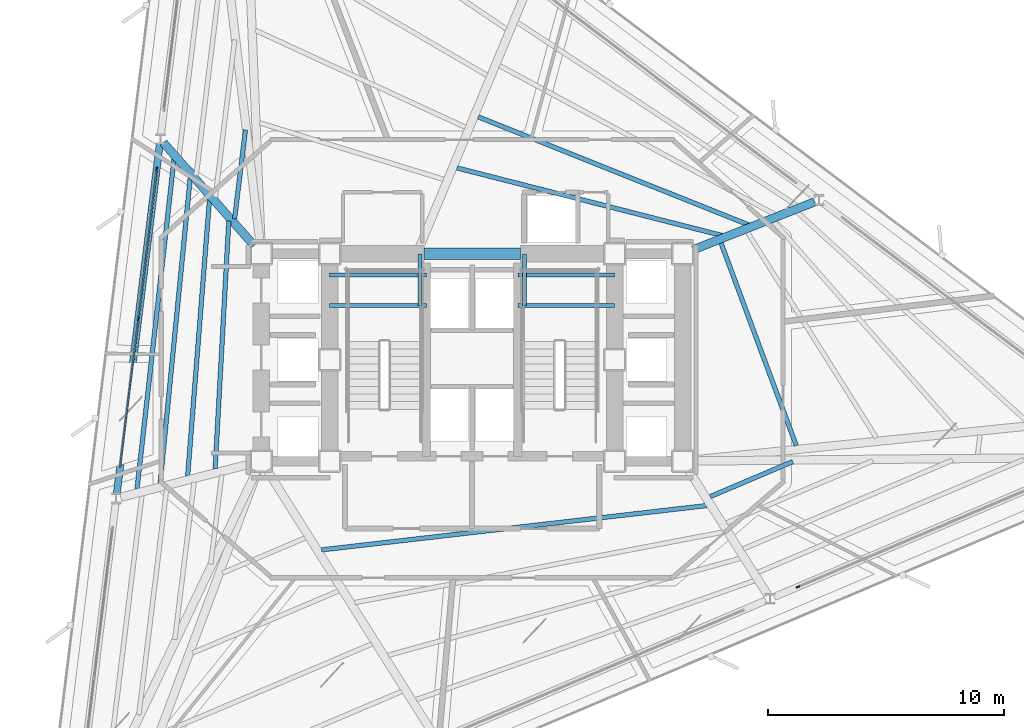
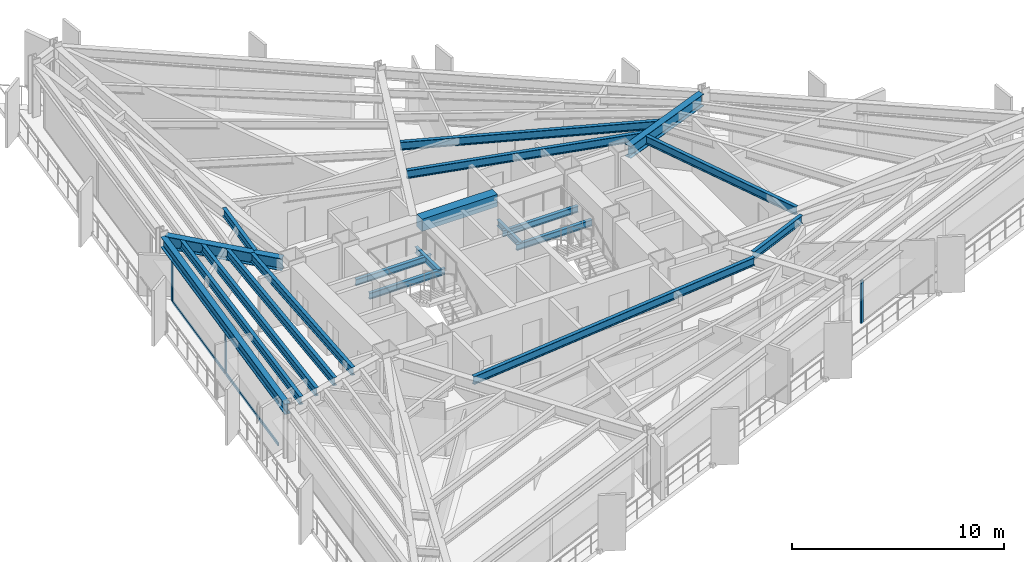
# One storey, part 3 of 13: 20 beams, 7 members, 2 elements without a shape of their own.
"""IFC4 building model written with IfcOpenShell, lengths in metres."""

from ifc_helpers import new_model, si_unit, direction, frame, origin, origin_2d, place, context, subcontext, project, spatial, rectangle, i_section, extrude, material, layer, layer_set, material_profile, profile_set, type_object, element, aggregate, save


model = new_model("IFC4")

# Units and contexts
model_context = context("Model", 3, precision=1e-05, world=origin(), true_north=direction((0.0, 1.0)))
body_context = subcontext(model_context, "Body", "Model", "MODEL_VIEW")
ifc_project = project(units=[si_unit("LENGTHUNIT", "METRE"), si_unit("AREAUNIT", "SQUARE_METRE"), si_unit("VOLUMEUNIT", "CUBIC_METRE"), si_unit("PLANEANGLEUNIT", "RADIAN"), si_unit("MASSUNIT", "GRAM", prefix="KILO")], contexts=[model_context])

# Site, building, storey
site_placement = place(None, origin())
site = spatial("IfcSite", under=ifc_project, at=site_placement, CompositionType="ELEMENT")
building_placement = place(site_placement, origin())
building = spatial("IfcBuilding", under=site, at=building_placement, Name="Rocaltana Carrier Exchange", CompositionType="ELEMENT")
storey_placement = place(building_placement, frame((0.0, 0.0, 63.0400390625)))
storey = spatial("IfcBuildingStorey", under=building, at=storey_placement, Name="L19", CompositionType="ELEMENT", Elevation=63.0400390625)

# Curtain wall, members
ifc_material_1 = material(Name="Aluminium 6063-T6", Category="aluminium")
ifc_layer = layer(ifc_material_1, 0.1650390625)
ifc_layer_set = layer_set([ifc_layer], Name="Aluminium 6063-T6")
curtain_wall_type = type_object("IfcCurtainWallType", Name="Lower-Mid Stepped Curtain Wall CW-02", PredefinedType="NOTDEFINED", material=ifc_layer_set)
curtain_wall_1_placement = place(storey_placement, origin())
curtain_wall_1 = element("IfcCurtainWall", 1, at=curtain_wall_1_placement, inside=storey, type_object=curtain_wall_type, Name="L19 CW-02 Run CW-L19-F2S2", PredefinedType="NOTDEFINED")
ifc_material_2 = material(Name="Aluminium 6063-T6", Category="aluminium")
ifc_material_profile_1 = material_profile(ifc_material_2, rectangle(XDim=0.06494140625, YDim=0.1650390625, at=origin_2d()), Name="AL-65X165")
ifc_profile_set_1 = profile_set([ifc_material_profile_1], Name="Aluminium 6063-T6")
member_type_1 = type_object("IfcMemberType", Name="CW-02 Mullion AL-65X165", PredefinedType="MULLION", material=ifc_profile_set_1)
member_1_placement = place(storey_placement, frame((-13.39404296875, 8.093505859375, 0.0), z_axis=(0.0, 0.0, 1.0), x_axis=(0.992545632614, -0.121873570472, 0.0)))
member_1 = element("IfcMember", 2, at=member_1_placement, type_object=member_type_1, Name="CW-02 mullion 1", PredefinedType="MULLION", context=body_context, shape_type="SweptSolid", body=[
    extrude(rectangle(XDim=0.06494140625, YDim=0.1650390625, at=origin_2d()), origin(), (0.0, 0.0, 1.0), 2.47802734375),
])
member_2_placement = place(storey_placement, frame((-14.17431640625, 1.740234375, 0.0), z_axis=(0.0, 0.0, 1.0), x_axis=(0.992545632614, -0.121873570472, 0.0)))
member_2 = element("IfcMember", 3, at=member_2_placement, type_object=member_type_1, Name="CW-02 mullion 2", PredefinedType="MULLION", context=body_context, shape_type="SweptSolid", body=[
    extrude(rectangle(XDim=0.06494140625, YDim=0.1650390625, at=origin_2d()), origin(), (0.0, 0.0, 1.0), 2.47802734375),
])

# Curtain wall, member
curtain_wall_2_placement = place(storey_placement, origin())
curtain_wall_2 = element("IfcCurtainWall", 4, at=curtain_wall_2_placement, inside=storey, type_object=curtain_wall_type, Name="L19 CW-02 Run CW-L19-F3S3", PredefinedType="NOTDEFINED")
member_3_placement = place(storey_placement, frame((13.8330078125, -9.642333984375, 0.0), z_axis=(0.0, 0.0, 1.0), x_axis=(-0.390735259141, 0.920503100084, 0.0)))
member_3 = element("IfcMember", 5, at=member_3_placement, type_object=member_type_1, Name="CW-02 mullion 1", PredefinedType="MULLION", context=body_context, shape_type="SweptSolid", body=[
    extrude(rectangle(XDim=0.06494140625, YDim=0.1650390625, at=origin_2d()), origin(), (0.0, 0.0, 1.0), 2.47802734375),
])
aggregate(curtain_wall_2, [member_3])

# Member
ifc_material_3 = material(Name="Aluminium 6063-T6", Category="aluminium")
ifc_material_profile_2 = material_profile(ifc_material_3, rectangle(XDim=0.06494140625, YDim=0.1650390625, at=origin_2d()), Name="AL-65X165")
ifc_profile_set_2 = profile_set([ifc_material_profile_2], Name="Aluminium 6063-T6")
member_type_2 = type_object("IfcMemberType", Name="CW-02 Transom AL-65X165", PredefinedType="USERDEFINED", material=ifc_profile_set_2)
member_4_placement = place(storey_placement, frame((-13.398193359375, 8.061279296875, 0.032470703125), z_axis=(-0.121881311797, -0.992544682034, 0.0), x_axis=(0.992544682034, -0.121881311797, 0.0)))
member_4 = element("IfcMember", 6, at=member_4_placement, type_object=member_type_2, Name="CW-02 transom 1.1", ObjectType="TRANSOM", PredefinedType="USERDEFINED", context=body_context, shape_type="SweptSolid", body=[
    extrude(rectangle(XDim=0.06494140625, YDim=0.1650390625, at=origin_2d()), origin(), (0.0, 0.0, 1.0), 6.335693359375),
])

member_5_placement = place(storey_placement, frame((-13.398193359375, 8.061279296875, 2.445556640625), z_axis=(-0.121881311797, -0.992544682034, 0.0), x_axis=(0.992544682034, -0.121881311797, 0.0)))
member_5 = element("IfcMember", 7, at=member_5_placement, type_object=member_type_2, Name="CW-02 transom 1.2", ObjectType="TRANSOM", PredefinedType="USERDEFINED", context=body_context, shape_type="SweptSolid", body=[
    extrude(rectangle(XDim=0.06494140625, YDim=0.1650390625, at=origin_2d()), origin(), (0.0, 0.0, 1.0), 6.335693359375),
])

member_6_placement = place(storey_placement, frame((-14.17822265625, 1.7080078125, 0.032470703125), z_axis=(-0.121881311797, -0.992544682034, 0.0), x_axis=(0.992544682034, -0.121881311797, 0.0)))
member_6 = element("IfcMember", 8, at=member_6_placement, type_object=member_type_2, Name="CW-02 transom 2.1", ObjectType="TRANSOM", PredefinedType="USERDEFINED", context=body_context, shape_type="SweptSolid", body=[
    extrude(rectangle(XDim=0.06494140625, YDim=0.1650390625, at=origin_2d()), origin(), (0.0, 0.0, 1.0), 6.335693359375),
])

member_7_placement = place(storey_placement, frame((-14.17822265625, 1.7080078125, 2.445556640625), z_axis=(-0.121881311797, -0.992544682034, 0.0), x_axis=(0.992544682034, -0.121881311797, 0.0)))
member_7 = element("IfcMember", 9, at=member_7_placement, type_object=member_type_2, Name="CW-02 transom 2.2", ObjectType="TRANSOM", PredefinedType="USERDEFINED", context=body_context, shape_type="SweptSolid", body=[
    extrude(rectangle(XDim=0.06494140625, YDim=0.1650390625, at=origin_2d()), origin(), (0.0, 0.0, 1.0), 6.335693359375),
])

aggregate(curtain_wall_1, [member_1, member_2, member_4, member_5, member_6, member_7])

# Beams
ifc_material_4 = material(Name="Concrete C60/75", Category="concrete")
ifc_material_profile_3 = material_profile(ifc_material_4, rectangle(XDim=0.5, YDim=0.699951171875, at=origin_2d()), Name="RC-BM-500X700")
ifc_profile_set_3 = profile_set([ifc_material_profile_3], Name="Concrete C60/75")
beam_type_1 = type_object("IfcBeamType", Name="Core Coupling Lintel 500x700", PredefinedType="LINTEL", material=ifc_profile_set_3)
beam_1_placement = place(storey_placement, frame((-2.050048828125, 4.5, 2.748046875), z_axis=(1.0, 0.0, 0.0), x_axis=(0.0, 1.0, 0.0)))
element("IfcBeam", 10, at=beam_1_placement, inside=storey, type_object=beam_type_1, Name="L19 Core Coupling Lintel CL-N", PredefinedType="LINTEL", context=body_context, shape_type="SweptSolid", body=[
    extrude(rectangle(XDim=0.5, YDim=0.699951171875, at=origin_2d()), origin(), (0.0, 0.0, 1.0), 4.10009765625),
])
ifc_material_5 = material(Name="Steel S355", Category="steel")
ifc_material_profile_4 = material_profile(ifc_material_5, i_section(OverallWidth=0.172119140625, OverallDepth=0.35791015625, WebThickness=0.0078125, FlangeThickness=0.01318359375, FilletRadius=0.011962890625, at=origin_2d()), Name="W14X38")
ifc_profile_set_4 = profile_set([ifc_material_profile_4], Name="Steel S355")
beam_type_2 = type_object("IfcBeamType", Name="Floor Joist W14X38", PredefinedType="JOIST", material=ifc_profile_set_4)
for number, where, z_axis, x_axis, name in (
    (11, (-6.050048828125, 2.300048828125, 1.301025390625), (1.0, 0.0, 0.0), (0.0, 1.0, 0.0), "L19 ST-1 Landing Carrier 1"),
    (12, (1.93994140625, 2.300048828125, 1.301025390625), (1.0, 0.0, 0.0), (0.0, 1.0, 0.0), "L19 ST-2 Landing Carrier 1"),
    (13, (-6.050048828125, 3.60009765625, 1.301025390625), (1.0, 0.0, 0.0), (0.0, 1.0, 0.0), "L19 ST-1 Landing Carrier 2"),
    (14, (1.93994140625, 3.60009765625, 1.301025390625), (1.0, 0.0, 0.0), (0.0, 1.0, 0.0), "L19 ST-2 Landing Carrier 2"),
):
    element("IfcBeam", number, at=place(storey_placement, frame(where, z_axis=z_axis, x_axis=x_axis)), inside=storey, type_object=beam_type_2, Name=name, PredefinedType="JOIST", context=body_context, shape_type="SweptSolid", body=[
        extrude(i_section(OverallWidth=0.172119140625, OverallDepth=0.35791015625, WebThickness=0.0078125, FlangeThickness=0.01318359375, FilletRadius=0.011962890625, at=origin_2d()), origin(), (0.0, 0.0, 1.0), 4.110107421875),
    ])
for number, where, z_axis, x_axis, name in (
    (15, (-2.219970703125, 2.300048828125, 1.301025390625), (0.0, 1.0, 0.0), (-1.0, 0.0, 0.0), "L19 ST-1 Landing Cross Trimmer"),
    (16, (2.219970703125, 2.300048828125, 1.301025390625), (0.0, 1.0, 0.0), (-1.0, 0.0, 0.0), "L19 ST-2 Landing Cross Trimmer"),
):
    element("IfcBeam", number, at=place(storey_placement, frame(where, z_axis=z_axis, x_axis=x_axis)), inside=storey, type_object=beam_type_2, Name=name, PredefinedType="JOIST", context=body_context, shape_type="SweptSolid", body=[
        extrude(i_section(OverallWidth=0.172119140625, OverallDepth=0.35791015625, WebThickness=0.0078125, FlangeThickness=0.01318359375, FilletRadius=0.011962890625, at=origin_2d()), origin(), (0.0, 0.0, 1.0), 2.199951171875),
    ])
ifc_material_6 = material(Name="Steel S355", Category="steel")
ifc_material_profile_5 = material_profile(ifc_material_6, i_section(OverallWidth=0.193115234375, OverallDepth=0.466064453125, WebThickness=0.011474609375, FlangeThickness=0.01904296875, FilletRadius=0.013916015625, at=origin_2d()), Name="W18X65")
ifc_profile_set_5 = profile_set([ifc_material_profile_5], Name="Steel S355")
beam_type_3 = type_object("IfcBeamType", Name="Floor Joist W18X65", PredefinedType="JOIST", material=ifc_profile_set_5)
beam_2_placement = place(storey_placement, frame((13.7646484375, -3.644287109375, 2.864990234375), z_axis=(-0.348190538878, 0.937423782841, 0.0), x_axis=(-0.937423782841, -0.348190538878, 0.0)))
element("IfcBeam", 17, at=beam_2_placement, inside=storey, type_object=beam_type_3, Name="FJ-L19-01-1", PredefinedType="JOIST", context=body_context, shape_type="SweptSolid", body=[
    extrude(i_section(OverallWidth=0.193115234375, OverallDepth=0.466064453125, WebThickness=0.011474609375, FlangeThickness=0.01904296875, FilletRadius=0.013916015625, at=origin_2d()), origin(), (0.0, 0.0, 1.0), 9.17333984375),
])
beam_3_placement = place(storey_placement, frame((10.633544921875, 5.272216796875, 2.864990234375), z_axis=(-0.969019358716, 0.246984781785, 0.0), x_axis=(-0.246984781785, -0.969019358716, 0.0)))
element("IfcBeam", 18, at=beam_3_placement, inside=storey, type_object=beam_type_3, Name="FJ-L19-02-1", PredefinedType="JOIST", context=body_context, shape_type="SweptSolid", body=[
    extrude(i_section(OverallWidth=0.193115234375, OverallDepth=0.466064453125, WebThickness=0.011474609375, FlangeThickness=0.01904296875, FilletRadius=0.013916015625, at=origin_2d()), origin(), (0.0, 0.0, 1.0), 11.639404296875),
])
beam_4_placement = place(storey_placement, frame((11.73876953125, 5.72705078125, 2.864990234375), z_axis=(-0.928527082135, 0.371264673436, 0.0), x_axis=(-0.371264673436, -0.928527082135, 0.0)))
element("IfcBeam", 19, at=beam_4_placement, inside=storey, type_object=beam_type_3, Name="FJ-L19-02-2", PredefinedType="JOIST", context=body_context, shape_type="SweptSolid", body=[
    extrude(i_section(OverallWidth=0.193115234375, OverallDepth=0.466064453125, WebThickness=0.011474609375, FlangeThickness=0.01904296875, FilletRadius=0.013916015625, at=origin_2d()), origin(), (0.0, 0.0, 1.0), 12.36083984375),
])
beam_5_placement = place(storey_placement, frame((-9.623046875, 9.76171875, 2.864990234375), z_axis=(-0.121879106214, -0.99254495287, 0.0), x_axis=(0.99254495287, -0.121879106214, 0.0)))
element("IfcBeam", 20, at=beam_5_placement, inside=storey, type_object=beam_type_3, Name="FJ-L19-05-1", PredefinedType="JOIST", context=body_context, shape_type="SweptSolid", body=[
    extrude(i_section(OverallWidth=0.193115234375, OverallDepth=0.466064453125, WebThickness=0.011474609375, FlangeThickness=0.01904296875, FilletRadius=0.013916015625, at=origin_2d()), origin(), (0.0, 0.0, 1.0), 3.805908203125),
])
beam_6_placement = place(storey_placement, frame((-10.33154296875, 5.885986328125, 2.864990234375), z_axis=(-0.055068403042, -0.998482584218, 0.0), x_axis=(0.998482584218, -0.055068403042, 0.0)))
element("IfcBeam", 21, at=beam_6_placement, inside=storey, type_object=beam_type_3, Name="FJ-L19-06-1", PredefinedType="JOIST", context=body_context, shape_type="SweptSolid", body=[
    extrude(i_section(OverallWidth=0.193115234375, OverallDepth=0.466064453125, WebThickness=0.011474609375, FlangeThickness=0.01904296875, FilletRadius=0.013916015625, at=origin_2d()), origin(), (0.0, 0.0, 1.0), 10.5380859375),
])
beam_7_placement = place(storey_placement, frame((-11.150390625, 6.810791015625, 2.864990234375), z_axis=(-0.078741493591, -0.996895068293, 0.0), x_axis=(0.996895068293, -0.078741493591, 0.0)))
element("IfcBeam", 22, at=beam_7_placement, inside=storey, type_object=beam_type_3, Name="FJ-L19-06-2", PredefinedType="JOIST", context=body_context, shape_type="SweptSolid", body=[
    extrude(i_section(OverallWidth=0.193115234375, OverallDepth=0.466064453125, WebThickness=0.011474609375, FlangeThickness=0.01904296875, FilletRadius=0.013916015625, at=origin_2d()), origin(), (0.0, 0.0, 1.0), 11.78515625),
])
beam_8_placement = place(storey_placement, frame((-11.96826171875, 7.73583984375, 2.864990234375), z_axis=(-0.097972183255, -0.995189153532, 0.0), x_axis=(0.995189153532, -0.097972183255, 0.0)))
element("IfcBeam", 23, at=beam_8_placement, inside=storey, type_object=beam_type_3, Name="FJ-L19-06-3", PredefinedType="JOIST", context=body_context, shape_type="SweptSolid", body=[
    extrude(i_section(OverallWidth=0.193115234375, OverallDepth=0.466064453125, WebThickness=0.011474609375, FlangeThickness=0.01904296875, FilletRadius=0.013916015625, at=origin_2d()), origin(), (0.0, 0.0, 1.0), 13.037841796875),
])
beam_9_placement = place(storey_placement, frame((-12.65673828125, 8.5146484375, 2.864990234375), z_axis=(-0.111539715424, -0.993759976998, 0.0), x_axis=(0.993759976998, -0.111539715424, 0.0)))
element("IfcBeam", 24, at=beam_9_placement, inside=storey, type_object=beam_type_3, Name="FJ-L19-06-4", PredefinedType="JOIST", context=body_context, shape_type="SweptSolid", body=[
    extrude(i_section(OverallWidth=0.193115234375, OverallDepth=0.466064453125, WebThickness=0.011474609375, FlangeThickness=0.01904296875, FilletRadius=0.013916015625, at=origin_2d()), origin(), (0.0, 0.0, 1.0), 14.095947265625),
])
beam_10_placement = place(storey_placement, frame((-6.393310546875, -8.071533203125, 2.864990234375), z_axis=(0.993445833528, 0.114303875027, 0.0), x_axis=(-0.114303875027, 0.993445833528, 0.0)))
element("IfcBeam", 25, at=beam_10_placement, inside=storey, type_object=beam_type_3, Name="FJ-L19-10-1", PredefinedType="JOIST", context=body_context, shape_type="SweptSolid", body=[
    extrude(i_section(OverallWidth=0.193115234375, OverallDepth=0.466064453125, WebThickness=0.011474609375, FlangeThickness=0.01904296875, FilletRadius=0.013916015625, at=origin_2d()), origin(), (0.0, 0.0, 1.0), 16.465576171875),
])
beam_11_placement = place(storey_placement, frame((10.107421875, -5.810791015625, 2.864990234375), z_axis=(0.920496503987, 0.390750798013, 0.0), x_axis=(-0.390750798013, 0.920496503987, 0.0)))
element("IfcBeam", 26, at=beam_11_placement, inside=storey, type_object=beam_type_3, Name="FJ-L19-11-1", PredefinedType="JOIST", context=body_context, shape_type="SweptSolid", body=[
    extrude(i_section(OverallWidth=0.193115234375, OverallDepth=0.466064453125, WebThickness=0.011474609375, FlangeThickness=0.01904296875, FilletRadius=0.013916015625, at=origin_2d()), origin(), (0.0, 0.0, 1.0), 3.80615234375),
])
ifc_material_7 = material(Name="Steel S355", Category="steel")
ifc_material_profile_6 = material_profile(ifc_material_7, i_section(OverallWidth=0.35498046875, OverallDepth=0.695068359375, WebThickness=0.015380859375, FlangeThickness=0.02490234375, FilletRadius=0.01806640625, at=origin_2d()), Name="W27X146")
ifc_profile_set_6 = profile_set([ifc_material_profile_6], Name="Steel S355")
beam_type_4 = type_object("IfcBeamType", Name="Radial Girder W27X146", PredefinedType="BEAM", material=ifc_profile_set_6)
beam_12_placement = place(storey_placement, frame((9.384521484375, 4.67138671875, 2.75048828125), z_axis=(0.93018805463, 0.367083346153, 0.0), x_axis=(-0.367083346153, 0.93018805463, 0.0)))
element("IfcBeam", 27, at=beam_12_placement, inside=storey, type_object=beam_type_4, Name="RG-L19-02", PredefinedType="BEAM", context=body_context, shape_type="SweptSolid", body=[
    extrude(i_section(OverallWidth=0.35498046875, OverallDepth=0.695068359375, WebThickness=0.015380859375, FlangeThickness=0.02490234375, FilletRadius=0.01806640625, at=origin_2d()), origin(), (0.0, 0.0, 1.0), 5.546142578125),
])
beam_13_placement = place(storey_placement, frame((-9.2587890625, 4.850341796875, 2.75048828125), z_axis=(-0.661091296073, 0.750305469963, 0.0), x_axis=(-0.750305469963, -0.661091296073, 0.0)))
element("IfcBeam", 28, at=beam_13_placement, inside=storey, type_object=beam_type_4, Name="RG-L19-06", PredefinedType="BEAM", context=body_context, shape_type="SweptSolid", body=[
    extrude(i_section(OverallWidth=0.35498046875, OverallDepth=0.695068359375, WebThickness=0.015380859375, FlangeThickness=0.02490234375, FilletRadius=0.01806640625, at=origin_2d()), origin(), (0.0, 0.0, 1.0), 5.81787109375),
])
ifc_material_8 = material(Name="Steel S355", Category="steel")
ifc_material_profile_7 = material_profile(ifc_material_8, i_section(OverallWidth=0.300048828125, OverallDepth=0.60009765625, WebThickness=0.015380859375, FlangeThickness=0.030029296875, FilletRadius=0.027099609375, at=origin_2d()), Name="HEB600")
ifc_profile_set_7 = profile_set([ifc_material_profile_7], Name="Steel S355")
beam_type_5 = type_object("IfcBeamType", Name="Spandrel Edge Beam HEB600", PredefinedType="SPANDREL", material=ifc_profile_set_7)
beam_14_placement = place(storey_placement, frame((-13.262451171875, 9.1669921875, 2.7978515625), z_axis=(-0.121867898519, -0.99254632905, 0.0), x_axis=(0.99254632905, -0.121867898519, 0.0)))
element("IfcBeam", 29, at=beam_14_placement, inside=storey, type_object=beam_type_5, Name="SP-L19-06", PredefinedType="SPANDREL", context=body_context, shape_type="SweptSolid", body=[
    extrude(i_section(OverallWidth=0.300048828125, OverallDepth=0.60009765625, WebThickness=0.015380859375, FlangeThickness=0.030029296875, FilletRadius=0.027099609375, at=origin_2d()), origin(), (0.0, 0.0, 1.0), 14.96484375),
])

save(model, "model.ifc")
